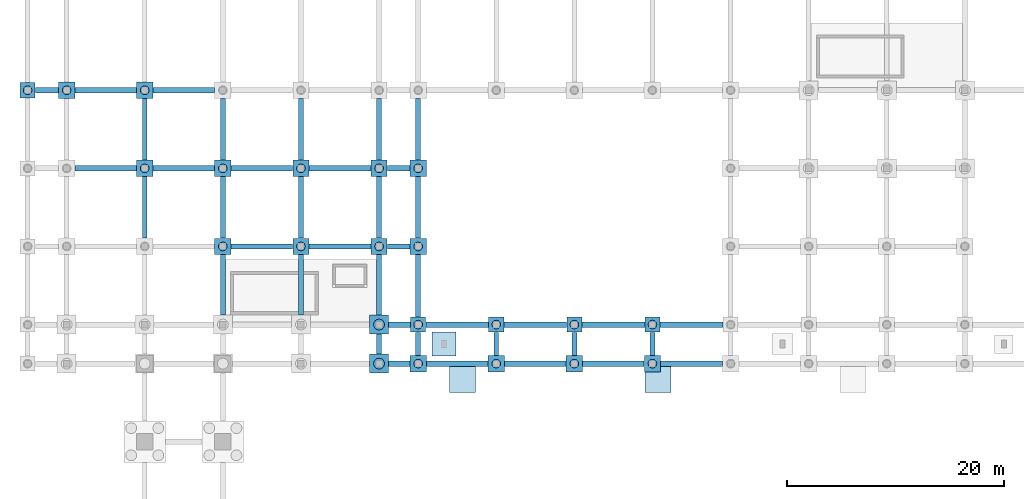
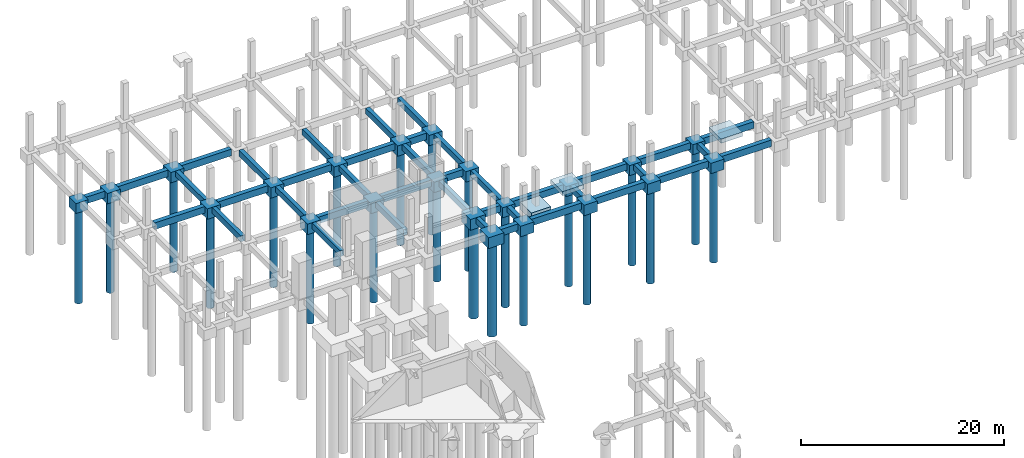
# One storey, part 4 of 20: 65 footings, 22 piles.
"""IFC4 building model written with IfcOpenShell, lengths in metres."""

from ifc_helpers import new_model, si_unit, direction, frame, origin, origin_2d, place, context, subcontext, project, spatial, polyline, rectangle, circle, outline, extrude, material, material_profile, profile_set, type_object, element, save


model = new_model("IFC4")

# Units and contexts
model_context = context("Model", 3, precision=1e-05, world=origin(), true_north=direction((0.0, 1.0)))
body_context = subcontext(model_context, "Body", "Model", "MODEL_VIEW")
ifc_project = project(units=[si_unit("LENGTHUNIT", "METRE"), si_unit("AREAUNIT", "SQUARE_METRE"), si_unit("VOLUMEUNIT", "CUBIC_METRE"), si_unit("PLANEANGLEUNIT", "RADIAN"), si_unit("MASSUNIT", "GRAM", prefix="KILO")], contexts=[model_context])

# Site, building, storey
site_placement = place(None, origin())
site = spatial("IfcSite", under=ifc_project, at=site_placement, CompositionType="ELEMENT")
building_placement = place(site_placement, origin())
building = spatial("IfcBuilding", under=site, at=building_placement, Name="Nzembalo Square Collegiate School", CompositionType="ELEMENT")
storey_placement = place(building_placement, frame((0.0, 0.0, -4.080078125)))
storey = spatial("IfcBuildingStorey", under=building, at=storey_placement, Name="B1", CompositionType="ELEMENT", Elevation=-4.080078125)

# Footings
ifc_material_1 = material(Name="Concrete C35/45", Category="concrete")
footing_type_1 = type_object("IfcFootingType", Name="PC05", PredefinedType="PILE_CAP", material=ifc_material_1)
for number, where, z_axis, x_axis, name in (
    (1, (37.199951171875, 79.199951171875, -1.60009765625), (0.0, 0.0, 1.0), (1.0, 0.0, 0.0), "Pile cap PC05 at 6/L"),
    (2, (37.199951171875, 82.800048828125, -1.60009765625), (0.0, 0.0, 1.0), (1.0, 0.0, 0.0), "Pile cap PC05 at 6/M"),
):
    element("IfcFooting", number, at=place(storey_placement, frame(where, z_axis=z_axis, x_axis=x_axis)), inside=storey, type_object=footing_type_1, Name=name, PredefinedType="PILE_CAP", context=body_context, shape_type="SweptSolid", body=[
        extrude(rectangle(XDim=1.75, YDim=1.75, at=origin_2d()), origin(), (0.0, 0.0, 1.0), 1.300048828125),
    ])
ifc_material_2 = material(Name="Concrete C35/45", Category="concrete")
footing_type_2 = type_object("IfcFootingType", Name="PC06", PredefinedType="PILE_CAP", material=ifc_material_2)
for number, where, z_axis, x_axis, name in (
    (3, (62.39990234375, 79.199951171875, -1.5498046875), (0.0, 0.0, 1.0), (1.0, 0.0, 0.0), "Pile cap PC06 at 10/L"),
    (4, (8.39990234375, 104.39990234375, -1.5498046875), (0.0, 0.0, 1.0), (1.0, 0.0, 0.0), "Pile cap PC06 at 2/P"),
    (5, (15.60009765625, 97.199951171875, -1.5498046875), (0.0, 0.0, 1.0), (1.0, 0.0, 0.0), "Pile cap PC06 at 3/O"),
    (6, (15.60009765625, 104.39990234375, -1.5498046875), (0.0, 0.0, 1.0), (1.0, 0.0, 0.0), "Pile cap PC06 at 3/P"),
    (7, (22.800048828125, 90.0, -1.5498046875), (0.0, 0.0, 1.0), (1.0, 0.0, 0.0), "Pile cap PC06 at 4/N"),
    (8, (22.800048828125, 97.199951171875, -1.5498046875), (0.0, 0.0, 1.0), (1.0, 0.0, 0.0), "Pile cap PC06 at 4/O"),
    (9, (30.0, 90.0, -1.5498046875), (0.0, 0.0, 1.0), (1.0, 0.0, 0.0), "Pile cap PC06 at 5/N"),
    (10, (30.0, 97.199951171875, -1.5498046875), (0.0, 0.0, 1.0), (1.0, 0.0, 0.0), "Pile cap PC06 at 5/O"),
    (11, (37.199951171875, 90.0, -1.5498046875), (0.0, 0.0, 1.0), (1.0, 0.0, 0.0), "Pile cap PC06 at 6/N"),
    (12, (37.199951171875, 97.199951171875, -1.5498046875), (0.0, 0.0, 1.0), (1.0, 0.0, 0.0), "Pile cap PC06 at 6/O"),
    (13, (40.800048828125, 79.199951171875, -1.5498046875), (0.0, 0.0, 1.0), (1.0, 0.0, 0.0), "Pile cap PC06 at 7/L"),
    (14, (40.800048828125, 90.0, -1.5498046875), (0.0, 0.0, 1.0), (1.0, 0.0, 0.0), "Pile cap PC06 at 7/N"),
    (15, (40.800048828125, 97.199951171875, -1.5498046875), (0.0, 0.0, 1.0), (1.0, 0.0, 0.0), "Pile cap PC06 at 7/O"),
    (16, (48.0, 79.199951171875, -1.5498046875), (0.0, 0.0, 1.0), (1.0, 0.0, 0.0), "Pile cap PC06 at 8/L"),
    (17, (55.199951171875, 79.199951171875, -1.5498046875), (0.0, 0.0, 1.0), (1.0, 0.0, 0.0), "Pile cap PC06 at 9/L"),
):
    element("IfcFooting", number, at=place(storey_placement, frame(where, z_axis=z_axis, x_axis=x_axis)), inside=storey, type_object=footing_type_2, Name=name, PredefinedType="PILE_CAP", context=body_context, shape_type="SweptSolid", body=[
        extrude(rectangle(XDim=1.5, YDim=1.5, at=origin_2d()), origin(), (0.0, 0.0, 1.0), 1.25),
    ])
ifc_material_3 = material(Name="Concrete C35/45", Category="concrete")
footing_type_3 = type_object("IfcFootingType", Name="PC07", PredefinedType="PILE_CAP", material=ifc_material_3)
for number, where, z_axis, x_axis, name in (
    (18, (4.800048828125, 104.39990234375, -1.5), (0.0, 0.0, 1.0), (1.0, 0.0, 0.0), "Pile cap PC07 at 1/P"),
    (19, (62.39990234375, 82.800048828125, -1.5), (0.0, 0.0, 1.0), (1.0, 0.0, 0.0), "Pile cap PC07 at 10/M"),
    (20, (40.800048828125, 82.800048828125, -1.5), (0.0, 0.0, 1.0), (1.0, 0.0, 0.0), "Pile cap PC07 at 7/M"),
    (21, (48.0, 82.800048828125, -1.5), (0.0, 0.0, 1.0), (1.0, 0.0, 0.0), "Pile cap PC07 at 8/M"),
    (22, (55.199951171875, 82.800048828125, -1.5), (0.0, 0.0, 1.0), (1.0, 0.0, 0.0), "Pile cap PC07 at 9/M"),
):
    element("IfcFooting", number, at=place(storey_placement, frame(where, z_axis=z_axis, x_axis=x_axis)), inside=storey, type_object=footing_type_3, Name=name, PredefinedType="PILE_CAP", context=body_context, shape_type="SweptSolid", body=[
        extrude(rectangle(XDim=1.39990234375, YDim=1.39990234375, at=origin_2d()), origin(), (0.0, 0.0, 1.0), 1.199951171875),
    ])
ifc_material_4 = material(Name="Concrete C30/37", Category="concrete")
footing_type_4 = type_object("IfcFootingType", Name="FG01", PredefinedType="FOOTING_BEAM", material=ifc_material_4)
footing_1_placement = place(storey_placement, frame((0.0, 0.0, -1.099853515625)))
element("IfcFooting", 23, at=footing_1_placement, inside=storey, type_object=footing_type_4, Name="Ground beam FG01 6-7/L", PredefinedType="FOOTING_BEAM", context=body_context, shape_type="SweptSolid", body=[
    extrude(outline(polyline([(38.0849609375, 78.949951171875), (40.0400390625, 78.949951171875), (40.0400390625, 79.449951171875), (38.0849609375, 79.449951171875), (38.0849609375, 78.949951171875)])), origin(), (0.0, 0.0, 1.0), 0.800048828125),
])
footing_2_placement = place(storey_placement, frame((0.0, 0.0, -1.099853515625)))
element("IfcFooting", 24, at=footing_2_placement, inside=storey, type_object=footing_type_4, Name="Ground beam FG01 7-8/L", PredefinedType="FOOTING_BEAM", context=body_context, shape_type="SweptSolid", body=[
    extrude(outline(polyline([(41.56005859375, 78.949951171875), (47.239990234375, 78.949951171875), (47.239990234375, 79.449951171875), (41.56005859375, 79.449951171875), (41.56005859375, 78.949951171875)])), origin(), (0.0, 0.0, 1.0), 0.800048828125),
])
footing_3_placement = place(storey_placement, frame((0.0, 0.0, -1.099853515625)))
element("IfcFooting", 25, at=footing_3_placement, inside=storey, type_object=footing_type_4, Name="Ground beam FG01 8-9/L", PredefinedType="FOOTING_BEAM", context=body_context, shape_type="SweptSolid", body=[
    extrude(outline(polyline([(48.760009765625, 78.949951171875), (54.43994140625, 78.949951171875), (54.43994140625, 79.449951171875), (48.760009765625, 79.449951171875), (48.760009765625, 78.949951171875)])), origin(), (0.0, 0.0, 1.0), 0.800048828125),
])
footing_4_placement = place(storey_placement, frame((0.0, 0.0, -1.099853515625)))
element("IfcFooting", 26, at=footing_4_placement, inside=storey, type_object=footing_type_4, Name="Ground beam FG01 9-10/L", PredefinedType="FOOTING_BEAM", context=body_context, shape_type="SweptSolid", body=[
    extrude(outline(polyline([(55.9599609375, 78.949951171875), (61.639892578125, 78.949951171875), (61.639892578125, 79.449951171875), (55.9599609375, 79.449951171875), (55.9599609375, 78.949951171875)])), origin(), (0.0, 0.0, 1.0), 0.800048828125),
])
footing_5_placement = place(storey_placement, frame((0.0, 0.0, -1.099853515625)))
element("IfcFooting", 27, at=footing_5_placement, inside=storey, type_object=footing_type_4, Name="Ground beam FG01 10-11/L", PredefinedType="FOOTING_BEAM", context=body_context, shape_type="SweptSolid", body=[
    extrude(outline(polyline([(63.159912109375, 78.949951171875), (68.840087890625, 78.949951171875), (68.840087890625, 79.449951171875), (63.159912109375, 79.449951171875), (63.159912109375, 78.949951171875)])), origin(), (0.0, 0.0, 1.0), 0.800048828125),
])
footing_6_placement = place(storey_placement, frame((0.0, 0.0, -1.099853515625)))
element("IfcFooting", 28, at=footing_6_placement, inside=storey, type_object=footing_type_4, Name="Ground beam FG01 6-7/M", PredefinedType="FOOTING_BEAM", context=body_context, shape_type="SweptSolid", body=[
    extrude(outline(polyline([(38.0849609375, 82.550048828125), (40.090087890625, 82.550048828125), (40.090087890625, 83.050048828125), (38.0849609375, 83.050048828125), (38.0849609375, 82.550048828125)])), origin(), (0.0, 0.0, 1.0), 0.800048828125),
])
footing_7_placement = place(storey_placement, frame((0.0, 0.0, -1.099853515625)))
element("IfcFooting", 29, at=footing_7_placement, inside=storey, type_object=footing_type_4, Name="Ground beam FG01 7-8/M", PredefinedType="FOOTING_BEAM", context=body_context, shape_type="SweptSolid", body=[
    extrude(outline(polyline([(41.510009765625, 82.550048828125), (47.2900390625, 82.550048828125), (47.2900390625, 83.050048828125), (41.510009765625, 83.050048828125), (41.510009765625, 82.550048828125)])), origin(), (0.0, 0.0, 1.0), 0.800048828125),
])
footing_8_placement = place(storey_placement, frame((0.0, 0.0, -1.099853515625)))
element("IfcFooting", 30, at=footing_8_placement, inside=storey, type_object=footing_type_4, Name="Ground beam FG01 8-9/M", PredefinedType="FOOTING_BEAM", context=body_context, shape_type="SweptSolid", body=[
    extrude(outline(polyline([(48.7099609375, 82.550048828125), (54.489990234375, 82.550048828125), (54.489990234375, 83.050048828125), (48.7099609375, 83.050048828125), (48.7099609375, 82.550048828125)])), origin(), (0.0, 0.0, 1.0), 0.800048828125),
])
footing_9_placement = place(storey_placement, frame((0.0, 0.0, -1.099853515625)))
element("IfcFooting", 31, at=footing_9_placement, inside=storey, type_object=footing_type_4, Name="Ground beam FG01 9-10/M", PredefinedType="FOOTING_BEAM", context=body_context, shape_type="SweptSolid", body=[
    extrude(outline(polyline([(55.909912109375, 82.550048828125), (61.68994140625, 82.550048828125), (61.68994140625, 83.050048828125), (55.909912109375, 83.050048828125), (55.909912109375, 82.550048828125)])), origin(), (0.0, 0.0, 1.0), 0.800048828125),
])
footing_10_placement = place(storey_placement, frame((0.0, 0.0, -1.099853515625)))
element("IfcFooting", 32, at=footing_10_placement, inside=storey, type_object=footing_type_4, Name="Ground beam FG01 10-11/M", PredefinedType="FOOTING_BEAM", context=body_context, shape_type="SweptSolid", body=[
    extrude(outline(polyline([(63.110107421875, 82.550048828125), (68.889892578125, 82.550048828125), (68.889892578125, 83.050048828125), (63.110107421875, 83.050048828125), (63.110107421875, 82.550048828125)])), origin(), (0.0, 0.0, 1.0), 0.800048828125),
])
footing_11_placement = place(storey_placement, frame((0.0, 0.0, -1.099853515625)))
element("IfcFooting", 33, at=footing_11_placement, inside=storey, type_object=footing_type_4, Name="Ground beam FG01 4-5/N", PredefinedType="FOOTING_BEAM", context=body_context, shape_type="SweptSolid", body=[
    extrude(outline(polyline([(23.56005859375, 89.75), (29.239990234375, 89.75), (29.239990234375, 90.25), (23.56005859375, 90.25), (23.56005859375, 89.75)])), origin(), (0.0, 0.0, 1.0), 0.800048828125),
])
footing_12_placement = place(storey_placement, frame((0.0, 0.0, -1.099853515625)))
element("IfcFooting", 34, at=footing_12_placement, inside=storey, type_object=footing_type_4, Name="Ground beam FG01 5-6/N", PredefinedType="FOOTING_BEAM", context=body_context, shape_type="SweptSolid", body=[
    extrude(outline(polyline([(30.760009765625, 89.75), (36.43994140625, 89.75), (36.43994140625, 90.25), (30.760009765625, 90.25), (30.760009765625, 89.75)])), origin(), (0.0, 0.0, 1.0), 0.800048828125),
])
footing_13_placement = place(storey_placement, frame((0.0, 0.0, -1.099853515625)))
element("IfcFooting", 35, at=footing_13_placement, inside=storey, type_object=footing_type_4, Name="Ground beam FG01 6-7/N", PredefinedType="FOOTING_BEAM", context=body_context, shape_type="SweptSolid", body=[
    extrude(outline(polyline([(37.9599609375, 89.75), (40.0400390625, 89.75), (40.0400390625, 90.25), (37.9599609375, 90.25), (37.9599609375, 89.75)])), origin(), (0.0, 0.0, 1.0), 0.800048828125),
])
footing_14_placement = place(storey_placement, frame((0.0, 0.0, -1.099853515625)))
element("IfcFooting", 36, at=footing_14_placement, inside=storey, type_object=footing_type_4, Name="Ground beam FG01 2-3/O", PredefinedType="FOOTING_BEAM", context=body_context, shape_type="SweptSolid", body=[
    extrude(outline(polyline([(9.159912109375, 96.949951171875), (14.840087890625, 96.949951171875), (14.840087890625, 97.449951171875), (9.159912109375, 97.449951171875), (9.159912109375, 96.949951171875)])), origin(), (0.0, 0.0, 1.0), 0.800048828125),
])
footing_15_placement = place(storey_placement, frame((0.0, 0.0, -1.099853515625)))
element("IfcFooting", 37, at=footing_15_placement, inside=storey, type_object=footing_type_4, Name="Ground beam FG01 3-4/O", PredefinedType="FOOTING_BEAM", context=body_context, shape_type="SweptSolid", body=[
    extrude(outline(polyline([(16.360107421875, 96.949951171875), (22.0400390625, 96.949951171875), (22.0400390625, 97.449951171875), (16.360107421875, 97.449951171875), (16.360107421875, 96.949951171875)])), origin(), (0.0, 0.0, 1.0), 0.800048828125),
])
footing_16_placement = place(storey_placement, frame((0.0, 0.0, -1.099853515625)))
element("IfcFooting", 38, at=footing_16_placement, inside=storey, type_object=footing_type_4, Name="Ground beam FG01 4-5/O", PredefinedType="FOOTING_BEAM", context=body_context, shape_type="SweptSolid", body=[
    extrude(outline(polyline([(23.56005859375, 96.949951171875), (29.239990234375, 96.949951171875), (29.239990234375, 97.449951171875), (23.56005859375, 97.449951171875), (23.56005859375, 96.949951171875)])), origin(), (0.0, 0.0, 1.0), 0.800048828125),
])
footing_17_placement = place(storey_placement, frame((0.0, 0.0, -1.099853515625)))
element("IfcFooting", 39, at=footing_17_placement, inside=storey, type_object=footing_type_4, Name="Ground beam FG01 5-6/O", PredefinedType="FOOTING_BEAM", context=body_context, shape_type="SweptSolid", body=[
    extrude(outline(polyline([(30.760009765625, 96.949951171875), (36.43994140625, 96.949951171875), (36.43994140625, 97.449951171875), (30.760009765625, 97.449951171875), (30.760009765625, 96.949951171875)])), origin(), (0.0, 0.0, 1.0), 0.800048828125),
])
footing_18_placement = place(storey_placement, frame((0.0, 0.0, -1.099853515625)))
element("IfcFooting", 40, at=footing_18_placement, inside=storey, type_object=footing_type_4, Name="Ground beam FG01 6-7/O", PredefinedType="FOOTING_BEAM", context=body_context, shape_type="SweptSolid", body=[
    extrude(outline(polyline([(37.9599609375, 96.949951171875), (40.0400390625, 96.949951171875), (40.0400390625, 97.449951171875), (37.9599609375, 97.449951171875), (37.9599609375, 96.949951171875)])), origin(), (0.0, 0.0, 1.0), 0.800048828125),
])
footing_19_placement = place(storey_placement, frame((0.0, 0.0, -1.099853515625)))
element("IfcFooting", 41, at=footing_19_placement, inside=storey, type_object=footing_type_4, Name="Ground beam FG01 1-2/P", PredefinedType="FOOTING_BEAM", context=body_context, shape_type="SweptSolid", body=[
    extrude(outline(polyline([(5.510009765625, 104.14990234375), (7.639892578125, 104.14990234375), (7.639892578125, 104.64990234375), (5.510009765625, 104.64990234375), (5.510009765625, 104.14990234375)])), origin(), (0.0, 0.0, 1.0), 0.800048828125),
])
footing_20_placement = place(storey_placement, frame((0.0, 0.0, -1.099853515625)))
element("IfcFooting", 42, at=footing_20_placement, inside=storey, type_object=footing_type_4, Name="Ground beam FG01 2-3/P", PredefinedType="FOOTING_BEAM", context=body_context, shape_type="SweptSolid", body=[
    extrude(outline(polyline([(9.159912109375, 104.14990234375), (14.840087890625, 104.14990234375), (14.840087890625, 104.64990234375), (9.159912109375, 104.64990234375), (9.159912109375, 104.14990234375)])), origin(), (0.0, 0.0, 1.0), 0.800048828125),
])
footing_21_placement = place(storey_placement, frame((0.0, 0.0, -1.099853515625)))
element("IfcFooting", 43, at=footing_21_placement, inside=storey, type_object=footing_type_4, Name="Ground beam FG01 3-4/P", PredefinedType="FOOTING_BEAM", context=body_context, shape_type="SweptSolid", body=[
    extrude(outline(polyline([(16.360107421875, 104.14990234375), (22.0400390625, 104.14990234375), (22.0400390625, 104.64990234375), (16.360107421875, 104.64990234375), (16.360107421875, 104.14990234375)])), origin(), (0.0, 0.0, 1.0), 0.800048828125),
])
ifc_material_5 = material(Name="Concrete C30/37", Category="concrete")
footing_type_5 = type_object("IfcFootingType", Name="FG02", PredefinedType="FOOTING_BEAM", material=ifc_material_5)
footing_22_placement = place(storey_placement, frame((0.0, 0.0, -1.0)))
element("IfcFooting", 44, at=footing_22_placement, inside=storey, type_object=footing_type_5, Name="Ground beam FG02 3/N-O", PredefinedType="FOOTING_BEAM", context=body_context, shape_type="SweptSolid", body=[
    extrude(outline(polyline([(15.375, 90.760009765625), (15.824951171875, 90.760009765625), (15.824951171875, 96.43994140625), (15.375, 96.43994140625), (15.375, 90.760009765625)])), origin(), (0.0, 0.0, 1.0), 0.7001953125),
])
footing_23_placement = place(storey_placement, frame((0.0, 0.0, -1.0)))
element("IfcFooting", 45, at=footing_23_placement, inside=storey, type_object=footing_type_5, Name="Ground beam FG02 3/O-P", PredefinedType="FOOTING_BEAM", context=body_context, shape_type="SweptSolid", body=[
    extrude(outline(polyline([(15.375, 97.9599609375), (15.824951171875, 97.9599609375), (15.824951171875, 103.639892578125), (15.375, 103.639892578125), (15.375, 97.9599609375)])), origin(), (0.0, 0.0, 1.0), 0.7001953125),
])
footing_24_placement = place(storey_placement, frame((0.0, 0.0, -1.0)))
element("IfcFooting", 46, at=footing_24_placement, inside=storey, type_object=footing_type_5, Name="Ground beam FG02 4/M-N", PredefinedType="FOOTING_BEAM", context=body_context, shape_type="SweptSolid", body=[
    extrude(outline(polyline([(22.574951171875, 83.68505859375), (23.02490234375, 83.68505859375), (23.02490234375, 89.239990234375), (22.574951171875, 89.239990234375), (22.574951171875, 83.68505859375)])), origin(), (0.0, 0.0, 1.0), 0.7001953125),
])
footing_25_placement = place(storey_placement, frame((0.0, 0.0, -1.0)))
element("IfcFooting", 47, at=footing_25_placement, inside=storey, type_object=footing_type_5, Name="Ground beam FG02 4/N-O", PredefinedType="FOOTING_BEAM", context=body_context, shape_type="SweptSolid", body=[
    extrude(outline(polyline([(22.574951171875, 90.760009765625), (23.02490234375, 90.760009765625), (23.02490234375, 96.43994140625), (22.574951171875, 96.43994140625), (22.574951171875, 90.760009765625)])), origin(), (0.0, 0.0, 1.0), 0.7001953125),
])
footing_26_placement = place(storey_placement, frame((0.0, 0.0, -1.0)))
element("IfcFooting", 48, at=footing_26_placement, inside=storey, type_object=footing_type_5, Name="Ground beam FG02 4/O-P", PredefinedType="FOOTING_BEAM", context=body_context, shape_type="SweptSolid", body=[
    extrude(outline(polyline([(22.574951171875, 97.9599609375), (23.02490234375, 97.9599609375), (23.02490234375, 103.639892578125), (22.574951171875, 103.639892578125), (22.574951171875, 97.9599609375)])), origin(), (0.0, 0.0, 1.0), 0.7001953125),
])
footing_27_placement = place(storey_placement, frame((0.0, 0.0, -1.0)))
element("IfcFooting", 49, at=footing_27_placement, inside=storey, type_object=footing_type_5, Name="Ground beam FG02 5/M-N", PredefinedType="FOOTING_BEAM", context=body_context, shape_type="SweptSolid", body=[
    extrude(outline(polyline([(29.77490234375, 83.68505859375), (30.22509765625, 83.68505859375), (30.22509765625, 89.239990234375), (29.77490234375, 89.239990234375), (29.77490234375, 83.68505859375)])), origin(), (0.0, 0.0, 1.0), 0.7001953125),
])
footing_28_placement = place(storey_placement, frame((0.0, 0.0, -1.0)))
element("IfcFooting", 50, at=footing_28_placement, inside=storey, type_object=footing_type_5, Name="Ground beam FG02 5/N-O", PredefinedType="FOOTING_BEAM", context=body_context, shape_type="SweptSolid", body=[
    extrude(outline(polyline([(29.77490234375, 90.760009765625), (30.22509765625, 90.760009765625), (30.22509765625, 96.43994140625), (29.77490234375, 96.43994140625), (29.77490234375, 90.760009765625)])), origin(), (0.0, 0.0, 1.0), 0.7001953125),
])
footing_29_placement = place(storey_placement, frame((0.0, 0.0, -1.0)))
element("IfcFooting", 51, at=footing_29_placement, inside=storey, type_object=footing_type_5, Name="Ground beam FG02 5/O-P", PredefinedType="FOOTING_BEAM", context=body_context, shape_type="SweptSolid", body=[
    extrude(outline(polyline([(29.77490234375, 97.9599609375), (30.22509765625, 97.9599609375), (30.22509765625, 103.639892578125), (29.77490234375, 103.639892578125), (29.77490234375, 97.9599609375)])), origin(), (0.0, 0.0, 1.0), 0.7001953125),
])
footing_30_placement = place(storey_placement, frame((0.0, 0.0, -1.0)))
element("IfcFooting", 52, at=footing_30_placement, inside=storey, type_object=footing_type_5, Name="Ground beam FG02 6/L-M", PredefinedType="FOOTING_BEAM", context=body_context, shape_type="SweptSolid", body=[
    extrude(outline(polyline([(36.97509765625, 80.0849609375), (37.425048828125, 80.0849609375), (37.425048828125, 81.9150390625), (36.97509765625, 81.9150390625), (36.97509765625, 80.0849609375)])), origin(), (0.0, 0.0, 1.0), 0.7001953125),
])
footing_31_placement = place(storey_placement, frame((0.0, 0.0, -1.0)))
element("IfcFooting", 53, at=footing_31_placement, inside=storey, type_object=footing_type_5, Name="Ground beam FG02 6/M-N", PredefinedType="FOOTING_BEAM", context=body_context, shape_type="SweptSolid", body=[
    extrude(outline(polyline([(36.97509765625, 83.68505859375), (37.425048828125, 83.68505859375), (37.425048828125, 89.239990234375), (36.97509765625, 89.239990234375), (36.97509765625, 83.68505859375)])), origin(), (0.0, 0.0, 1.0), 0.7001953125),
])
footing_32_placement = place(storey_placement, frame((0.0, 0.0, -1.0)))
element("IfcFooting", 54, at=footing_32_placement, inside=storey, type_object=footing_type_5, Name="Ground beam FG02 6/N-O", PredefinedType="FOOTING_BEAM", context=body_context, shape_type="SweptSolid", body=[
    extrude(outline(polyline([(36.97509765625, 90.760009765625), (37.425048828125, 90.760009765625), (37.425048828125, 96.43994140625), (36.97509765625, 96.43994140625), (36.97509765625, 90.760009765625)])), origin(), (0.0, 0.0, 1.0), 0.7001953125),
])
footing_33_placement = place(storey_placement, frame((0.0, 0.0, -1.0)))
element("IfcFooting", 55, at=footing_33_placement, inside=storey, type_object=footing_type_5, Name="Ground beam FG02 6/O-P", PredefinedType="FOOTING_BEAM", context=body_context, shape_type="SweptSolid", body=[
    extrude(outline(polyline([(36.97509765625, 97.9599609375), (37.425048828125, 97.9599609375), (37.425048828125, 103.639892578125), (36.97509765625, 103.639892578125), (36.97509765625, 97.9599609375)])), origin(), (0.0, 0.0, 1.0), 0.7001953125),
])
footing_34_placement = place(storey_placement, frame((0.0, 0.0, -1.0)))
element("IfcFooting", 56, at=footing_34_placement, inside=storey, type_object=footing_type_5, Name="Ground beam FG02 7/L-M", PredefinedType="FOOTING_BEAM", context=body_context, shape_type="SweptSolid", body=[
    extrude(outline(polyline([(40.574951171875, 79.9599609375), (41.02490234375, 79.9599609375), (41.02490234375, 82.090087890625), (40.574951171875, 82.090087890625), (40.574951171875, 79.9599609375)])), origin(), (0.0, 0.0, 1.0), 0.7001953125),
])
footing_35_placement = place(storey_placement, frame((0.0, 0.0, -1.0)))
element("IfcFooting", 57, at=footing_35_placement, inside=storey, type_object=footing_type_5, Name="Ground beam FG02 7/M-N", PredefinedType="FOOTING_BEAM", context=body_context, shape_type="SweptSolid", body=[
    extrude(outline(polyline([(40.574951171875, 83.510009765625), (41.02490234375, 83.510009765625), (41.02490234375, 89.239990234375), (40.574951171875, 89.239990234375), (40.574951171875, 83.510009765625)])), origin(), (0.0, 0.0, 1.0), 0.7001953125),
])
footing_36_placement = place(storey_placement, frame((0.0, 0.0, -1.0)))
element("IfcFooting", 58, at=footing_36_placement, inside=storey, type_object=footing_type_5, Name="Ground beam FG02 7/N-O", PredefinedType="FOOTING_BEAM", context=body_context, shape_type="SweptSolid", body=[
    extrude(outline(polyline([(40.574951171875, 90.760009765625), (41.02490234375, 90.760009765625), (41.02490234375, 96.43994140625), (40.574951171875, 96.43994140625), (40.574951171875, 90.760009765625)])), origin(), (0.0, 0.0, 1.0), 0.7001953125),
])
footing_37_placement = place(storey_placement, frame((0.0, 0.0, -1.0)))
element("IfcFooting", 59, at=footing_37_placement, inside=storey, type_object=footing_type_5, Name="Ground beam FG02 7/O-P", PredefinedType="FOOTING_BEAM", context=body_context, shape_type="SweptSolid", body=[
    extrude(outline(polyline([(40.574951171875, 97.9599609375), (41.02490234375, 97.9599609375), (41.02490234375, 103.639892578125), (40.574951171875, 103.639892578125), (40.574951171875, 97.9599609375)])), origin(), (0.0, 0.0, 1.0), 0.7001953125),
])
footing_38_placement = place(storey_placement, frame((0.0, 0.0, -1.0)))
element("IfcFooting", 60, at=footing_38_placement, inside=storey, type_object=footing_type_5, Name="Ground beam FG02 8/L-M", PredefinedType="FOOTING_BEAM", context=body_context, shape_type="SweptSolid", body=[
    extrude(outline(polyline([(47.77490234375, 79.9599609375), (48.22509765625, 79.9599609375), (48.22509765625, 82.090087890625), (47.77490234375, 82.090087890625), (47.77490234375, 79.9599609375)])), origin(), (0.0, 0.0, 1.0), 0.7001953125),
])
footing_39_placement = place(storey_placement, frame((0.0, 0.0, -1.0)))
element("IfcFooting", 61, at=footing_39_placement, inside=storey, type_object=footing_type_5, Name="Ground beam FG02 9/L-M", PredefinedType="FOOTING_BEAM", context=body_context, shape_type="SweptSolid", body=[
    extrude(outline(polyline([(54.97509765625, 79.9599609375), (55.425048828125, 79.9599609375), (55.425048828125, 82.090087890625), (54.97509765625, 82.090087890625), (54.97509765625, 79.9599609375)])), origin(), (0.0, 0.0, 1.0), 0.7001953125),
])
footing_40_placement = place(storey_placement, frame((0.0, 0.0, -1.0)))
element("IfcFooting", 62, at=footing_40_placement, inside=storey, type_object=footing_type_5, Name="Ground beam FG02 10/L-M", PredefinedType="FOOTING_BEAM", context=body_context, shape_type="SweptSolid", body=[
    extrude(outline(polyline([(62.175048828125, 79.9599609375), (62.625, 79.9599609375), (62.625, 82.090087890625), (62.175048828125, 82.090087890625), (62.175048828125, 79.9599609375)])), origin(), (0.0, 0.0, 1.0), 0.7001953125),
])
ifc_material_6 = material(Name="Concrete C35/45", Category="concrete")
footing_type_6 = type_object("IfcFootingType", Name="PF01", PredefinedType="PAD_FOOTING", material=ifc_material_6)
footing_41_placement = place(storey_placement, frame((43.199951171875, 81.0, -1.199951171875), z_axis=(0.0, 0.0, 1.0), x_axis=(1.0, 0.0, 0.0)))
element("IfcFooting", 63, at=footing_41_placement, inside=storey, type_object=footing_type_6, Name="Pad footing PF1", PredefinedType="PAD_FOOTING", context=body_context, shape_type="SweptSolid", body=[
    extrude(rectangle(XDim=2.199951171875, YDim=2.199951171875, at=origin_2d()), origin(), (0.0, 0.0, 1.0), 0.89990234375),
])
ifc_material_7 = material(Name="Concrete C35/45", Category="concrete")
footing_type_7 = type_object("IfcFootingType", Name="PF05", PredefinedType="PAD_FOOTING", material=ifc_material_7)
for number, where, z_axis, x_axis, name in (
    (64, (44.89990234375, 77.719970703125, 3.260009765625), (0.0, 0.0, 1.0), (1.0, 0.0, 0.0), "Ramp foundation pad PF05-01"),
    (65, (62.89990234375, 77.719970703125, 3.260009765625), (0.0, 0.0, 1.0), (1.0, 0.0, 0.0), "Ramp foundation pad PF05-02"),
):
    element("IfcFooting", number, at=place(storey_placement, frame(where, z_axis=z_axis, x_axis=x_axis)), inside=storey, type_object=footing_type_7, Name=name, PredefinedType="PAD_FOOTING", context=body_context, shape_type="SweptSolid", body=[
        extrude(rectangle(XDim=2.39990234375, YDim=2.39990234375, at=origin_2d()), origin(), (0.0, 0.0, 1.0), 0.5),
    ])

# Piles
ifc_material_8 = material(Name="Concrete C30/37", Category="concrete")
ifc_material_profile_1 = material_profile(ifc_material_8, circle(Radius=0.5, at=origin_2d()), Name="PILE D1000")
ifc_profile_set_1 = profile_set([ifc_material_profile_1], Name="Concrete C30/37")
pile_type_1 = type_object("IfcPileType", Name="P01", PredefinedType="BORED", material=ifc_profile_set_1)
for number, where, z_axis, x_axis, name in (
    (66, (37.199951171875, 79.199951171875, -1.5), (0.0, 0.0, -1.0), (1.0, 0.0, 0.0), "Bored pile P01-302"),
    (67, (37.199951171875, 82.800048828125, -1.5), (0.0, 0.0, -1.0), (1.0, 0.0, 0.0), "Bored pile P01-303"),
):
    element("IfcPile", number, at=place(storey_placement, frame(where, z_axis=z_axis, x_axis=x_axis)), inside=storey, type_object=pile_type_1, Name=name, PredefinedType="BORED", context=body_context, shape_type="SweptSolid", body=[
        extrude(circle(Radius=0.5, at=origin_2d()), origin(), (0.0, 0.0, 1.0), 11.219970703125),
    ])
ifc_material_9 = material(Name="Concrete C30/37", Category="concrete")
ifc_material_profile_2 = material_profile(ifc_material_9, circle(Radius=0.39990234375, at=origin_2d()), Name="PILE D800")
ifc_profile_set_2 = profile_set([ifc_material_profile_2], Name="Concrete C30/37")
pile_type_2 = type_object("IfcPileType", Name="P02", PredefinedType="BORED", material=ifc_profile_set_2)
pile_1_placement = place(storey_placement, frame((4.800048828125, 104.39990234375, -1.39990234375), z_axis=(0.0, 0.0, -1.0), x_axis=(1.0, 0.0, 0.0)))
element("IfcPile", 68, at=pile_1_placement, inside=storey, type_object=pile_type_2, Name="Bored pile P02-013", PredefinedType="BORED", context=body_context, shape_type="SweptSolid", body=[
    extrude(circle(Radius=0.39990234375, at=origin_2d()), origin(), (0.0, 0.0, 1.0), 11.320068359375),
])
pile_2_placement = place(storey_placement, frame((62.39990234375, 79.199951171875, -1.449951171875), z_axis=(0.0, 0.0, -1.0), x_axis=(1.0, 0.0, 0.0)))
element("IfcPile", 69, at=pile_2_placement, inside=storey, type_object=pile_type_2, Name="Bored pile P02-015", PredefinedType="BORED", context=body_context, shape_type="SweptSolid", body=[
    extrude(circle(Radius=0.39990234375, at=origin_2d()), origin(), (0.0, 0.0, 1.0), 11.27001953125),
])
pile_3_placement = place(storey_placement, frame((62.39990234375, 82.800048828125, -1.39990234375), z_axis=(0.0, 0.0, -1.0), x_axis=(1.0, 0.0, 0.0)))
element("IfcPile", 70, at=pile_3_placement, inside=storey, type_object=pile_type_2, Name="Bored pile P02-016", PredefinedType="BORED", context=body_context, shape_type="SweptSolid", body=[
    extrude(circle(Radius=0.39990234375, at=origin_2d()), origin(), (0.0, 0.0, 1.0), 11.320068359375),
])
for number, where, z_axis, x_axis, name in (
    (71, (8.39990234375, 104.39990234375, -1.449951171875), (0.0, 0.0, -1.0), (1.0, 0.0, 0.0), "Bored pile P02-079"),
    (72, (15.60009765625, 97.199951171875, -1.449951171875), (0.0, 0.0, -1.0), (1.0, 0.0, 0.0), "Bored pile P02-253"),
    (73, (15.60009765625, 104.39990234375, -1.449951171875), (0.0, 0.0, -1.0), (1.0, 0.0, 0.0), "Bored pile P02-254"),
    (74, (22.800048828125, 90.0, -1.449951171875), (0.0, 0.0, -1.0), (1.0, 0.0, 0.0), "Bored pile P02-277"),
    (75, (22.800048828125, 97.199951171875, -1.449951171875), (0.0, 0.0, -1.0), (1.0, 0.0, 0.0), "Bored pile P02-278"),
    (76, (30.0, 90.0, -1.449951171875), (0.0, 0.0, -1.0), (1.0, 0.0, 0.0), "Bored pile P02-290"),
    (77, (30.0, 97.199951171875, -1.449951171875), (0.0, 0.0, -1.0), (1.0, 0.0, 0.0), "Bored pile P02-291"),
    (78, (37.199951171875, 90.0, -1.449951171875), (0.0, 0.0, -1.0), (1.0, 0.0, 0.0), "Bored pile P02-304"),
    (79, (37.199951171875, 97.199951171875, -1.449951171875), (0.0, 0.0, -1.0), (1.0, 0.0, 0.0), "Bored pile P02-305"),
    (80, (40.800048828125, 79.199951171875, -1.449951171875), (0.0, 0.0, -1.0), (1.0, 0.0, 0.0), "Bored pile P02-316"),
):
    element("IfcPile", number, at=place(storey_placement, frame(where, z_axis=z_axis, x_axis=x_axis)), inside=storey, type_object=pile_type_2, Name=name, PredefinedType="BORED", context=body_context, shape_type="SweptSolid", body=[
        extrude(circle(Radius=0.39990234375, at=origin_2d()), origin(), (0.0, 0.0, 1.0), 11.27001953125),
    ])
pile_4_placement = place(storey_placement, frame((40.800048828125, 82.800048828125, -1.39990234375), z_axis=(0.0, 0.0, -1.0), x_axis=(1.0, 0.0, 0.0)))
element("IfcPile", 81, at=pile_4_placement, inside=storey, type_object=pile_type_2, Name="Bored pile P02-317", PredefinedType="BORED", context=body_context, shape_type="SweptSolid", body=[
    extrude(circle(Radius=0.39990234375, at=origin_2d()), origin(), (0.0, 0.0, 1.0), 11.320068359375),
])
for number, where, z_axis, x_axis, name in (
    (82, (40.800048828125, 90.0, -1.449951171875), (0.0, 0.0, -1.0), (1.0, 0.0, 0.0), "Bored pile P02-318"),
    (83, (40.800048828125, 97.199951171875, -1.449951171875), (0.0, 0.0, -1.0), (1.0, 0.0, 0.0), "Bored pile P02-319"),
    (84, (48.0, 79.199951171875, -1.449951171875), (0.0, 0.0, -1.0), (1.0, 0.0, 0.0), "Bored pile P02-322"),
):
    element("IfcPile", number, at=place(storey_placement, frame(where, z_axis=z_axis, x_axis=x_axis)), inside=storey, type_object=pile_type_2, Name=name, PredefinedType="BORED", context=body_context, shape_type="SweptSolid", body=[
        extrude(circle(Radius=0.39990234375, at=origin_2d()), origin(), (0.0, 0.0, 1.0), 11.27001953125),
    ])
pile_5_placement = place(storey_placement, frame((48.0, 82.800048828125, -1.39990234375), z_axis=(0.0, 0.0, -1.0), x_axis=(1.0, 0.0, 0.0)))
element("IfcPile", 85, at=pile_5_placement, inside=storey, type_object=pile_type_2, Name="Bored pile P02-323", PredefinedType="BORED", context=body_context, shape_type="SweptSolid", body=[
    extrude(circle(Radius=0.39990234375, at=origin_2d()), origin(), (0.0, 0.0, 1.0), 11.320068359375),
])
pile_6_placement = place(storey_placement, frame((55.199951171875, 79.199951171875, -1.449951171875), z_axis=(0.0, 0.0, -1.0), x_axis=(1.0, 0.0, 0.0)))
element("IfcPile", 86, at=pile_6_placement, inside=storey, type_object=pile_type_2, Name="Bored pile P02-326", PredefinedType="BORED", context=body_context, shape_type="SweptSolid", body=[
    extrude(circle(Radius=0.39990234375, at=origin_2d()), origin(), (0.0, 0.0, 1.0), 11.27001953125),
])
pile_7_placement = place(storey_placement, frame((55.199951171875, 82.800048828125, -1.39990234375), z_axis=(0.0, 0.0, -1.0), x_axis=(1.0, 0.0, 0.0)))
element("IfcPile", 87, at=pile_7_placement, inside=storey, type_object=pile_type_2, Name="Bored pile P02-327", PredefinedType="BORED", context=body_context, shape_type="SweptSolid", body=[
    extrude(circle(Radius=0.39990234375, at=origin_2d()), origin(), (0.0, 0.0, 1.0), 11.320068359375),
])

save(model, "model.ifc")
